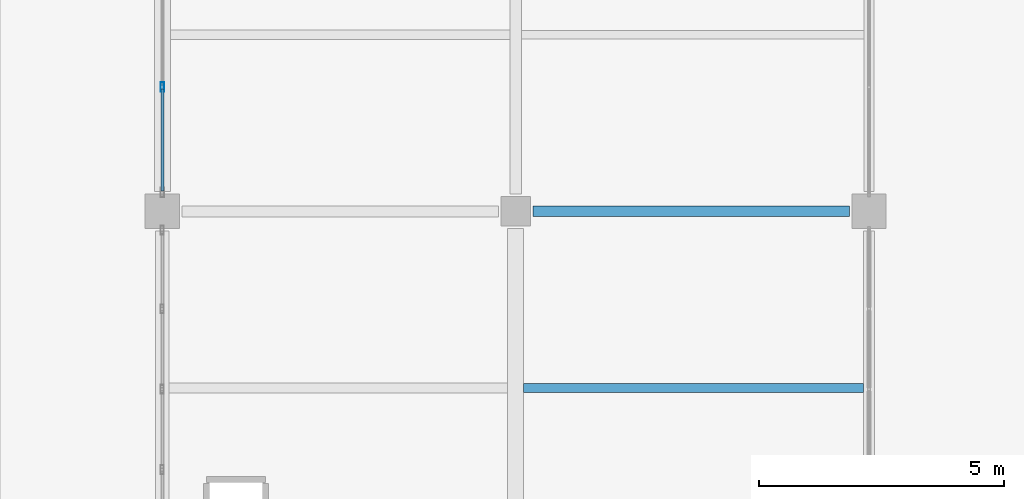
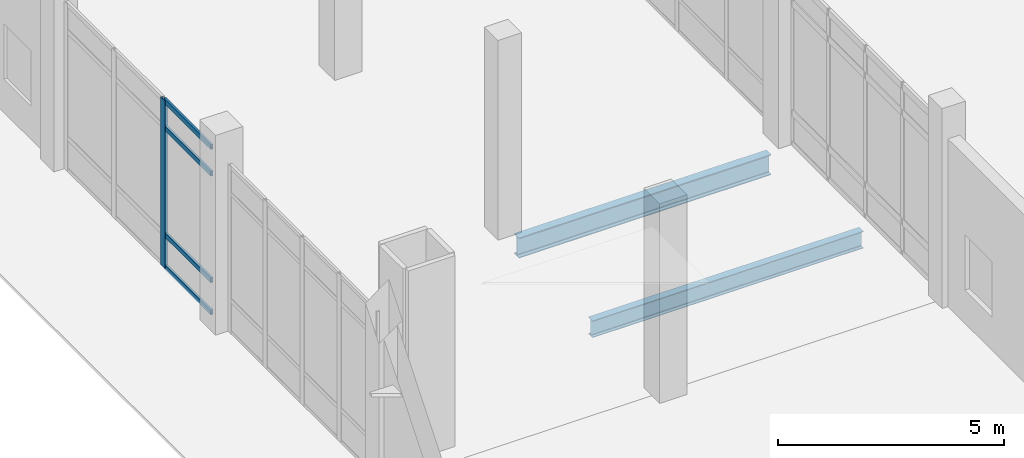
# One storey, part 73 of 229: 5 members, 2 beams, 1 element without a shape of its own.
"""IFC4 building model written with IfcOpenShell, lengths in metres."""

from ifc_helpers import new_model, si_unit, direction, frame, origin, origin_2d, place, context, subcontext, project, spatial, hollow_rectangle, i_section, extrude, material, layer, layer_set, material_profile, profile_set, type_object, element, aggregate, save


model = new_model("IFC4")

# Units and contexts
model_context = context("Model", 3, precision=1e-05, world=origin(), true_north=direction((0.0, 1.0)))
body_context = subcontext(model_context, "Body", "Model", "MODEL_VIEW")
ifc_project = project(units=[si_unit("LENGTHUNIT", "METRE"), si_unit("AREAUNIT", "SQUARE_METRE"), si_unit("VOLUMEUNIT", "CUBIC_METRE"), si_unit("PLANEANGLEUNIT", "RADIAN"), si_unit("MASSUNIT", "GRAM", prefix="KILO")], contexts=[model_context])

# Site, building, storey
site_placement = place(None, origin())
site = spatial("IfcSite", under=ifc_project, at=site_placement, CompositionType="ELEMENT")
building_placement = place(site_placement, origin())
building = spatial("IfcBuilding", under=site, at=building_placement, Name="Calvrana Isthmian Art Gallery", CompositionType="ELEMENT")
storey_placement = place(building_placement, origin())
storey = spatial("IfcBuildingStorey", under=building, at=storey_placement, Name="L00", CompositionType="ELEMENT", Elevation=0.0)

# Beams
ifc_material_1 = material(Name="Steel ASTM A992 Gr 50", Category="steel")
ifc_material_profile_1 = material_profile(ifc_material_1, i_section(OverallWidth=0.214111328125, OverallDepth=0.549072265625, WebThickness=0.0146484375, FlangeThickness=0.023681640625, FilletRadius=0.02099609375, at=origin_2d()), Name="W21X93")
ifc_profile_set_1 = profile_set([ifc_material_profile_1], Name="Steel ASTM A992 Gr 50")
beam_type_1 = type_object("IfcBeamType", Name="BM-G-W21X93", PredefinedType="BEAM", material=ifc_profile_set_1)
beam_1_placement = place(storey_placement, frame((7.550048828125, 84.0, -0.5595703125), z_axis=(1.0, 0.0, 0.0), x_axis=(0.0, 1.0, 0.0)))
element("IfcBeam", 1, at=beam_1_placement, inside=storey, type_object=beam_type_1, Name="Girder X L00 02-03/L", PredefinedType="BEAM", context=body_context, shape_type="SweptSolid", body=[
    extrude(i_section(OverallWidth=0.214111328125, OverallDepth=0.549072265625, WebThickness=0.0146484375, FlangeThickness=0.023681640625, FilletRadius=0.02099609375, at=origin_2d()), origin(), (0.0, 0.0, 1.0), 6.449951171875),
])
ifc_material_profile_2 = material_profile(ifc_material_1, i_section(OverallWidth=0.19091796875, OverallDepth=0.45703125, WebThickness=0.009033203125, FlangeThickness=0.014404296875, FilletRadius=0.02001953125, at=origin_2d()), Name="W18X50")
ifc_profile_set_2 = profile_set([ifc_material_profile_2], Name="Steel ASTM A992 Gr 50")
beam_type_2 = type_object("IfcBeamType", Name="BM-J-W18X50", PredefinedType="JOIST", material=ifc_profile_set_2)
beam_2_placement = place(storey_placement, frame((7.362548828125, 80.39990234375, -0.513427734375), z_axis=(1.0, 0.0, 0.0), x_axis=(0.0, 1.0, 0.0)))
element("IfcBeam", 2, at=beam_2_placement, inside=storey, type_object=beam_type_2, Name="Composite joist L00 bay 01-10", PredefinedType="JOIST", context=body_context, shape_type="SweptSolid", body=[
    extrude(i_section(OverallWidth=0.19091796875, OverallDepth=0.45703125, WebThickness=0.009033203125, FlangeThickness=0.014404296875, FilletRadius=0.02001953125, at=origin_2d()), origin(), (0.0, 0.0, 1.0), 6.92333984375),
])

# Curtain wall, members
ifc_material_2 = material(Name="Anodized bronze aluminium 6063-T6", Category="aluminium")
ifc_layer = layer(ifc_material_2, 0.179931640625, Name="Anodized bronze aluminium 6063-T6")
ifc_layer_set = layer_set([ifc_layer], Name="Anodized bronze aluminium 6063-T6")
curtain_wall_type = type_object("IfcCurtainWallType", Name="CW-STICK-066X45", PredefinedType="NOTDEFINED", material=ifc_layer_set)
curtain_wall_placement = place(storey_placement, origin())
curtain_wall = element("IfcCurtainWall", 3, at=curtain_wall_placement, inside=storey, type_object=curtain_wall_type, Name="Curtain wall CW-051", PredefinedType="NOTDEFINED")
ifc_material_profile_3 = material_profile(ifc_material_2, hollow_rectangle(XDim=0.070068359375, YDim=0.199951171875, WallThickness=0.0048828125, at=origin_2d()), Name="CWM70X200")
ifc_profile_set_3 = profile_set([ifc_material_profile_3], Name="Anodized bronze aluminium 6063-T6")
member_type_1 = type_object("IfcMemberType", Name="CWM-CWM70X200", PredefinedType="MULLION", material=ifc_profile_set_3)
member_1_placement = place(storey_placement, frame((0.0, 86.533447265625, 0.0), z_axis=(0.0, 0.0, 1.0), x_axis=(-1.0, 0.0, 0.0)))
member_1 = element("IfcMember", 4, at=member_1_placement, type_object=member_type_1, Name="CW-051 mullion 2", PredefinedType="MULLION", context=body_context, shape_type="SweptSolid", body=[
    extrude(hollow_rectangle(XDim=0.070068359375, YDim=0.199951171875, WallThickness=0.0048828125, at=origin_2d()), origin(), (0.0, 0.0, 1.0), 4.532958984375),
])
ifc_material_profile_4 = material_profile(ifc_material_2, hollow_rectangle(XDim=0.06005859375, YDim=0.1298828125, WallThickness=0.00390625, at=origin_2d()), Name="CWT60X130")
ifc_profile_set_4 = profile_set([ifc_material_profile_4], Name="Anodized bronze aluminium 6063-T6")
member_type_2 = type_object("IfcMemberType", Name="CWT-CWT60X130", PredefinedType="USERDEFINED", material=ifc_profile_set_4)
member_2_placement = place(storey_placement, frame((0.0, 84.419921875, 0.030029296875), z_axis=(0.0, 1.0, 0.0), x_axis=(-1.0, 0.0, 0.0)))
member_2 = element("IfcMember", 5, at=member_2_placement, type_object=member_type_2, Name="CW-051 transom 1.1", ObjectType="TRANSOM", PredefinedType="USERDEFINED", context=body_context, shape_type="SweptSolid", body=[
    extrude(hollow_rectangle(XDim=0.06005859375, YDim=0.1298828125, WallThickness=0.00390625, at=origin_2d()), origin(), (0.0, 0.0, 1.0), 2.078369140625),
])
member_3_placement = place(storey_placement, frame((0.0, 84.419921875, 0.89990234375), z_axis=(0.0, 1.0, 0.0), x_axis=(-1.0, 0.0, 0.0)))
member_3 = element("IfcMember", 6, at=member_3_placement, type_object=member_type_2, Name="CW-051 transom 1.2", ObjectType="TRANSOM", PredefinedType="USERDEFINED", context=body_context, shape_type="SweptSolid", body=[
    extrude(hollow_rectangle(XDim=0.06005859375, YDim=0.1298828125, WallThickness=0.00390625, at=origin_2d()), origin(), (0.0, 0.0, 1.0), 2.078369140625),
])
member_4_placement = place(storey_placement, frame((0.0, 84.419921875, 3.782958984375), z_axis=(0.0, 1.0, 0.0), x_axis=(-1.0, 0.0, 0.0)))
member_4 = element("IfcMember", 7, at=member_4_placement, type_object=member_type_2, Name="CW-051 transom 1.3", ObjectType="TRANSOM", PredefinedType="USERDEFINED", context=body_context, shape_type="SweptSolid", body=[
    extrude(hollow_rectangle(XDim=0.06005859375, YDim=0.1298828125, WallThickness=0.00390625, at=origin_2d()), origin(), (0.0, 0.0, 1.0), 2.078369140625),
])
member_5_placement = place(storey_placement, frame((0.0, 84.419921875, 4.5029296875), z_axis=(0.0, 1.0, 0.0), x_axis=(-1.0, 0.0, 0.0)))
member_5 = element("IfcMember", 8, at=member_5_placement, type_object=member_type_2, Name="CW-051 transom 1.4", ObjectType="TRANSOM", PredefinedType="USERDEFINED", context=body_context, shape_type="SweptSolid", body=[
    extrude(hollow_rectangle(XDim=0.06005859375, YDim=0.1298828125, WallThickness=0.00390625, at=origin_2d()), origin(), (0.0, 0.0, 1.0), 2.078369140625),
])
aggregate(curtain_wall, [member_1, member_2, member_3, member_4, member_5])

save(model, "model.ifc")
